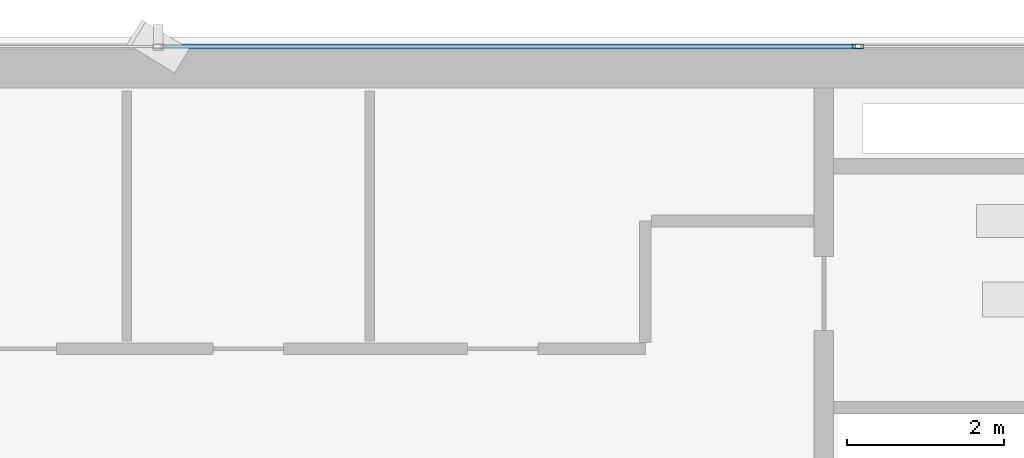
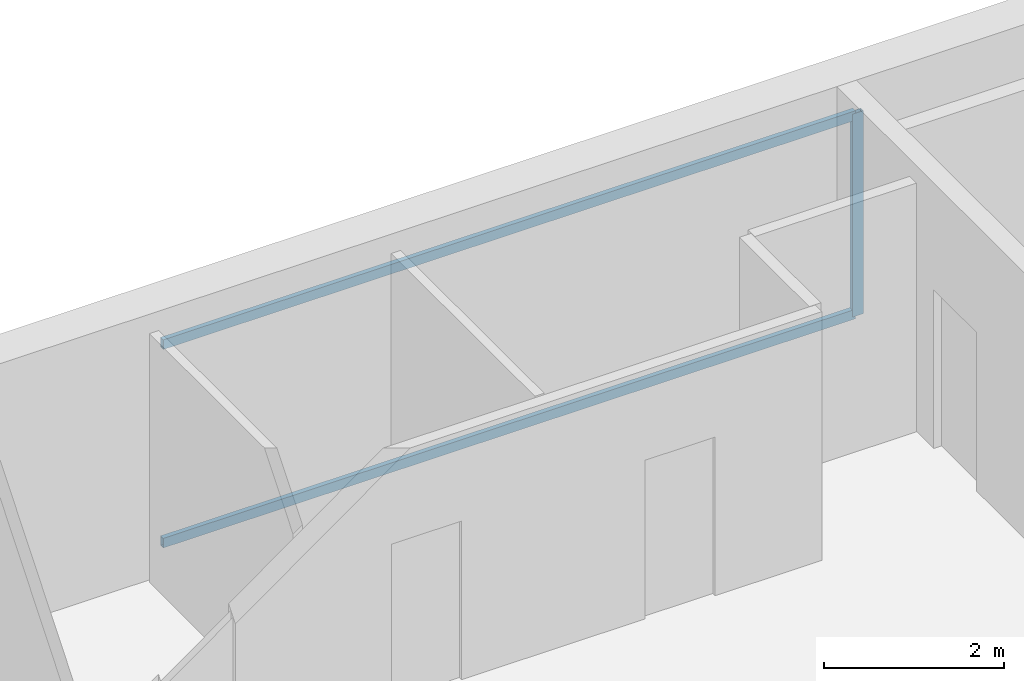
# One storey, part 17 of 26: 3 members, 1 element without a shape of its own.
"""IFC4 building model written with IfcOpenShell, lengths in metres."""

from ifc_helpers import new_model, si_unit, direction, frame, origin, origin_2d, place, context, subcontext, project, spatial, hollow_rectangle, extrude, source, transform, mapped, material, layer, layer_set, material_profile, profile_set, type_object, element, aggregate, save


model = new_model("IFC4")

# Units and contexts
model_context = context("Model", 3, precision=1e-05, world=origin(), true_north=direction((0.0, 1.0)))
body_context = subcontext(model_context, "Body", "Model", "MODEL_VIEW")
ifc_project = project(units=[si_unit("LENGTHUNIT", "METRE"), si_unit("AREAUNIT", "SQUARE_METRE"), si_unit("VOLUMEUNIT", "CUBIC_METRE"), si_unit("PLANEANGLEUNIT", "RADIAN"), si_unit("MASSUNIT", "GRAM", prefix="KILO")], contexts=[model_context])

# Site, building, storey
site_placement = place(None, origin())
site = spatial("IfcSite", under=ifc_project, at=site_placement, CompositionType="ELEMENT")
building_placement = place(site_placement, origin())
building = spatial("IfcBuilding", under=site, at=building_placement, Name="Sumidabori Civic Tower", CompositionType="ELEMENT")
storey_placement = place(building_placement, frame((0.0, 0.0, 254.0)))
storey = spatial("IfcBuildingStorey", under=building, at=storey_placement, Name="L66", CompositionType="ELEMENT", Elevation=254.0)

# Curtain wall, members
ifc_material = material(Name="Anodised Bronze Aluminium AW-6063-T6", Category="aluminium")
ifc_layer = layer(ifc_material, 0.179931640625, Name="Anodised Bronze Aluminium AW-6063-T6")
ifc_layer_set = layer_set([ifc_layer], Name="Anodised Bronze Aluminium AW-6063-T6")
curtain_wall_type = type_object("IfcCurtainWallType", Name="CW-SYS-5", PredefinedType="NOTDEFINED", material=ifc_layer_set)
curtain_wall_placement = place(storey_placement, origin())
curtain_wall = element("IfcCurtainWall", 1, at=curtain_wall_placement, inside=storey, type_object=curtain_wall_type, Name="Curtain Wall CW:L66:R07", PredefinedType="NOTDEFINED")
ifc_material_profile_1 = material_profile(ifc_material, hollow_rectangle(XDim=0.06005859375, YDim=0.139892578125, WallThickness=0.0048828125, at=origin_2d()), Name="ALU MULLION 140x60")
ifc_profile_set_1 = profile_set([ifc_material_profile_1], Name="Anodised Bronze Aluminium AW-6063-T6")
member_type_1 = type_object("IfcMemberType", Name="CW-MUL-140", PredefinedType="MULLION", material=ifc_profile_set_1)
shared_shape_1 = source(origin(), body_context, "Body", "SweptSolid", [
    extrude(hollow_rectangle(XDim=0.06005859375, YDim=0.139892578125, WallThickness=0.0048828125, at=origin_2d()), origin(), (0.0, 0.0, 1.0), 2.75),
])
member_1_placement = place(storey_placement, frame((8.93505859375, 24.080078125, 0.0), z_axis=(0.0, 0.0, 1.0), x_axis=(0.0, -1.0, 0.0)))
member_1 = element("IfcMember", 2, at=member_1_placement, type_object=member_type_1, Name="CW-5 mullion 2", PredefinedType="MULLION", context=body_context, shape_type="MappedRepresentation", body=[
    mapped(shared_shape_1, transform((0.0, 0.0, 0.0), x_axis=(1.0, 0.0, 0.0), y_axis=(0.0, 1.0, 0.0), z_axis=(0.0, 0.0, 1.0), scale=1.0)),
])
ifc_material_profile_2 = material_profile(ifc_material, hollow_rectangle(XDim=0.06005859375, YDim=0.1298828125, WallThickness=0.0048828125, at=origin_2d()), Name="ALU TRANSOM 130x60")
ifc_profile_set_2 = profile_set([ifc_material_profile_2], Name="Anodised Bronze Aluminium AW-6063-T6")
member_type_2 = type_object("IfcMemberType", Name="CW-TRN-130", PredefinedType="USERDEFINED", material=ifc_profile_set_2)
shared_shape_2 = source(origin(), body_context, "Body", "SweptSolid", [
    extrude(hollow_rectangle(XDim=0.06005859375, YDim=0.1298828125, WallThickness=0.0048828125, at=origin_2d()), origin(), (0.0, 0.0, 1.0), 8.875),
])
member_2_placement = place(storey_placement, frame((8.905029296875, 24.080078125, 0.030029296875), z_axis=(-1.0, 0.0, 0.0), x_axis=(0.0, -1.0, 0.0)))
member_2 = element("IfcMember", 3, at=member_2_placement, type_object=member_type_2, Name="CW-5 transom 2.1", ObjectType="TRANSOM", PredefinedType="USERDEFINED", context=body_context, shape_type="MappedRepresentation", body=[
    mapped(shared_shape_2, transform((0.0, 0.0, 0.0), x_axis=(1.0, 0.0, 0.0), y_axis=(0.0, 1.0, 0.0), z_axis=(0.0, 0.0, 1.0), scale=1.0)),
])
member_3_placement = place(storey_placement, frame((8.905029296875, 24.080078125, 2.719970703125), z_axis=(-1.0, 0.0, 0.0), x_axis=(0.0, -1.0, 0.0)))
member_3 = element("IfcMember", 4, at=member_3_placement, type_object=member_type_2, Name="CW-5 transom 2.2", ObjectType="TRANSOM", PredefinedType="USERDEFINED", context=body_context, shape_type="MappedRepresentation", body=[
    mapped(shared_shape_2, transform((0.0, 0.0, 0.0), x_axis=(1.0, 0.0, 0.0), y_axis=(0.0, 1.0, 0.0), z_axis=(0.0, 0.0, 1.0), scale=1.0)),
])
aggregate(curtain_wall, [member_1, member_2, member_3])

save(model, "model.ifc")
